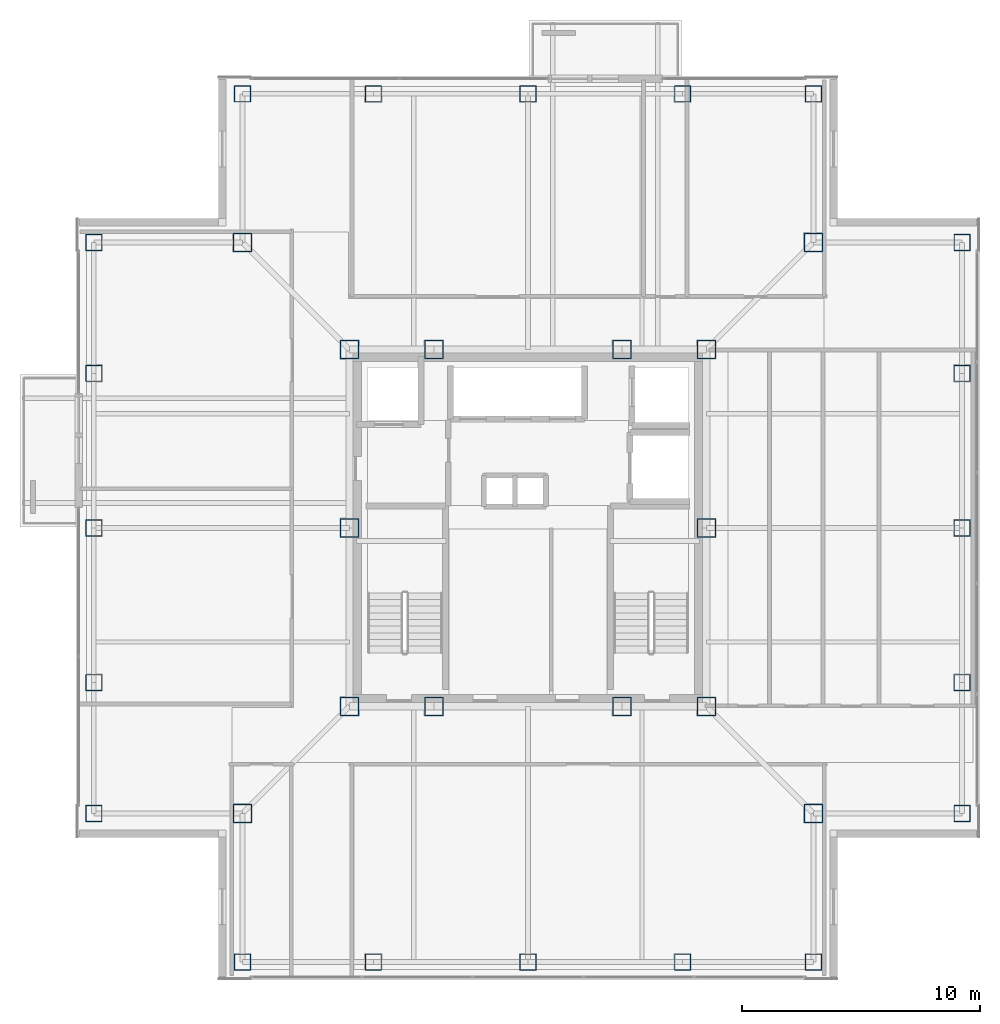
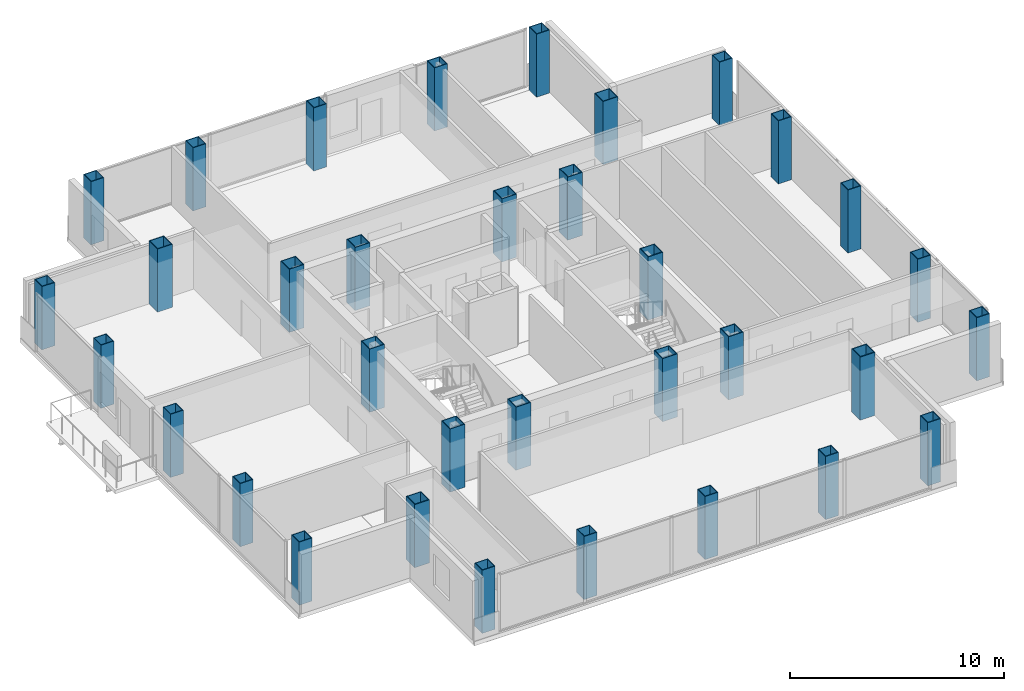
# One storey, part 1 of 13: 34 columns.
"""IFC4 building model written with IfcOpenShell, lengths in metres."""

from ifc_helpers import new_model, si_unit, direction, frame, origin, origin_2d, place, context, subcontext, project, spatial, hollow_rectangle, extrude, material, material_profile, profile_set, type_object, element, save


model = new_model("IFC4")

# Units and contexts
model_context = context("Model", 3, precision=1e-05, world=origin(), true_north=direction((0.0, 1.0)))
body_context = subcontext(model_context, "Body", "Model", "MODEL_VIEW")
ifc_project = project(units=[si_unit("LENGTHUNIT", "METRE"), si_unit("AREAUNIT", "SQUARE_METRE"), si_unit("VOLUMEUNIT", "CUBIC_METRE"), si_unit("PLANEANGLEUNIT", "RADIAN"), si_unit("MASSUNIT", "GRAM", prefix="KILO")], contexts=[model_context])

# Site, building, storey
site_placement = place(None, origin())
site = spatial("IfcSite", under=ifc_project, at=site_placement, CompositionType="ELEMENT")
building_placement = place(site_placement, origin())
building = spatial("IfcBuilding", under=site, at=building_placement, Name="Trevonay Congress Spire", CompositionType="ELEMENT")
storey_placement = place(building_placement, frame((0.0, 0.0, 254.0)))
storey = spatial("IfcBuildingStorey", under=building, at=storey_placement, Name="L66", CompositionType="ELEMENT", Elevation=254.0)

# Columns
ifc_material = material(Name="Steel ASTM A572 Grade 50", Category="steel")
ifc_material_profile_1 = material_profile(ifc_material, hollow_rectangle(XDim=0.800048828125, YDim=0.800048828125, WallThickness=0.0400390625, at=origin_2d()), Name="BOX 800x800x40")
ifc_profile_set_1 = profile_set([ifc_material_profile_1], Name="Steel ASTM A572 Grade 50")
column_type_1 = type_object("IfcColumnType", Name="COL-CORE-BOX800", PredefinedType="COLUMN", material=ifc_profile_set_1)
for number, where, z_axis, x_axis, name in (
    (1, (-7.5, -7.5, 0.0), (0.0, 0.0, 1.0), (1.0, 0.0, 0.0), "L66 column C05 at CC-SW"),
    (2, (-3.949951171875, -7.5, 0.0), (0.0, 0.0, 1.0), (1.0, 0.0, 0.0), "L66 column C05 at CC-SMW"),
    (3, (3.949951171875, -7.5, 0.0), (0.0, 0.0, 1.0), (1.0, 0.0, 0.0), "L66 column C05 at CC-SME"),
    (4, (7.5, -7.5, 0.0), (0.0, 0.0, 1.0), (1.0, 0.0, 0.0), "L66 column C05 at CC-SE"),
    (5, (7.5, 0.0, 0.0), (0.0, 0.0, 1.0), (1.0, 0.0, 0.0), "L66 column C05 at CC-E"),
    (6, (7.5, 7.5, 0.0), (0.0, 0.0, 1.0), (1.0, 0.0, 0.0), "L66 column C05 at CC-NE"),
    (7, (3.949951171875, 7.5, 0.0), (0.0, 0.0, 1.0), (1.0, 0.0, 0.0), "L66 column C05 at CC-NME"),
    (8, (-3.949951171875, 7.5, 0.0), (0.0, 0.0, 1.0), (1.0, 0.0, 0.0), "L66 column C05 at CC-NMW"),
    (9, (-7.5, 7.5, 0.0), (0.0, 0.0, 1.0), (1.0, 0.0, 0.0), "L66 column C05 at CC-NW"),
    (10, (-7.5, 0.0, 0.0), (0.0, 0.0, 1.0), (1.0, 0.0, 0.0), "L66 column C05 at CC-W"),
):
    element("IfcColumn", number, at=place(storey_placement, frame(where, z_axis=z_axis, x_axis=x_axis)), inside=storey, type_object=column_type_1, Name=name, PredefinedType="COLUMN", context=body_context, shape_type="SweptSolid", body=[
        extrude(hollow_rectangle(XDim=0.800048828125, YDim=0.800048828125, WallThickness=0.0400390625, at=origin_2d()), origin(), (0.0, 0.0, 1.0), 3.60009765625),
    ])
ifc_material_profile_2 = material_profile(ifc_material, hollow_rectangle(XDim=0.699951171875, YDim=0.699951171875, WallThickness=0.034912109375, at=origin_2d()), Name="BOX 700x700x35")
ifc_profile_set_2 = profile_set([ifc_material_profile_2], Name="Steel ASTM A572 Grade 50")
column_type_2 = type_object("IfcColumnType", Name="COL-TUBE-BOX700", PredefinedType="COLUMN", material=ifc_profile_set_2)
for number, where, z_axis, x_axis, name in (
    (11, (-12.0, -18.25, 0.0), (0.0, 0.0, 1.0), (1.0, 0.0, 0.0), "L66 column C17 at TS-1"),
    (12, (-12.0, 18.25, 0.0), (0.0, 0.0, 1.0), (1.0, 0.0, 0.0), "L66 column C17 at TN-1"),
    (13, (-18.25, -12.0, 0.0), (0.0, 0.0, 1.0), (1.0, 0.0, 0.0), "L66 column C17 at TW-1"),
    (14, (18.25, -12.0, 0.0), (0.0, 0.0, 1.0), (1.0, 0.0, 0.0), "L66 column C17 at TE-1"),
    (15, (-6.5, -18.25, 0.0), (0.0, 0.0, 1.0), (1.0, 0.0, 0.0), "L66 column C17 at TS-2"),
    (16, (-6.5, 18.25, 0.0), (0.0, 0.0, 1.0), (1.0, 0.0, 0.0), "L66 column C17 at TN-2"),
    (17, (-18.25, -6.5, 0.0), (0.0, 0.0, 1.0), (1.0, 0.0, 0.0), "L66 column C17 at TW-2"),
    (18, (18.25, -6.5, 0.0), (0.0, 0.0, 1.0), (1.0, 0.0, 0.0), "L66 column C17 at TE-2"),
    (19, (0.0, -18.25, 0.0), (0.0, 0.0, 1.0), (1.0, 0.0, 0.0), "L66 column C17 at TS-3"),
    (20, (0.0, 18.25, 0.0), (0.0, 0.0, 1.0), (1.0, 0.0, 0.0), "L66 column C17 at TN-3"),
    (21, (-18.25, 0.0, 0.0), (0.0, 0.0, 1.0), (1.0, 0.0, 0.0), "L66 column C17 at TW-3"),
    (22, (18.25, 0.0, 0.0), (0.0, 0.0, 1.0), (1.0, 0.0, 0.0), "L66 column C17 at TE-3"),
    (23, (6.5, -18.25, 0.0), (0.0, 0.0, 1.0), (1.0, 0.0, 0.0), "L66 column C17 at TS-4"),
    (24, (6.5, 18.25, 0.0), (0.0, 0.0, 1.0), (1.0, 0.0, 0.0), "L66 column C17 at TN-4"),
    (25, (-18.25, 6.5, 0.0), (0.0, 0.0, 1.0), (1.0, 0.0, 0.0), "L66 column C17 at TW-4"),
    (26, (18.25, 6.5, 0.0), (0.0, 0.0, 1.0), (1.0, 0.0, 0.0), "L66 column C17 at TE-4"),
    (27, (12.0, -18.25, 0.0), (0.0, 0.0, 1.0), (1.0, 0.0, 0.0), "L66 column C17 at TS-5"),
    (28, (12.0, 18.25, 0.0), (0.0, 0.0, 1.0), (1.0, 0.0, 0.0), "L66 column C17 at TN-5"),
    (29, (-18.25, 12.0, 0.0), (0.0, 0.0, 1.0), (1.0, 0.0, 0.0), "L66 column C17 at TW-5"),
    (30, (18.25, 12.0, 0.0), (0.0, 0.0, 1.0), (1.0, 0.0, 0.0), "L66 column C17 at TE-5"),
):
    element("IfcColumn", number, at=place(storey_placement, frame(where, z_axis=z_axis, x_axis=x_axis)), inside=storey, type_object=column_type_2, Name=name, PredefinedType="COLUMN", context=body_context, shape_type="SweptSolid", body=[
        extrude(hollow_rectangle(XDim=0.699951171875, YDim=0.699951171875, WallThickness=0.034912109375, at=origin_2d()), origin(), (0.0, 0.0, 1.0), 3.60009765625),
    ])
ifc_material_profile_3 = material_profile(ifc_material, hollow_rectangle(XDim=0.800048828125, YDim=0.800048828125, WallThickness=0.0400390625, at=origin_2d()), Name="BOX 800x800x40")
ifc_profile_set_3 = profile_set([ifc_material_profile_3], Name="Steel ASTM A572 Grade 50")
column_type_3 = type_object("IfcColumnType", Name="COL-TUBE-BOX800", PredefinedType="COLUMN", material=ifc_profile_set_3)
for number, where, z_axis, x_axis, name in (
    (31, (-12.0, -12.0, 0.0), (0.0, 0.0, 1.0), (1.0, 0.0, 0.0), "L66 column C16 at NC-SW"),
    (32, (12.0, -12.0, 0.0), (0.0, 0.0, 1.0), (1.0, 0.0, 0.0), "L66 column C16 at NC-SE"),
    (33, (12.0, 12.0, 0.0), (0.0, 0.0, 1.0), (1.0, 0.0, 0.0), "L66 column C16 at NC-NE"),
    (34, (-12.0, 12.0, 0.0), (0.0, 0.0, 1.0), (1.0, 0.0, 0.0), "L66 column C16 at NC-NW"),
):
    element("IfcColumn", number, at=place(storey_placement, frame(where, z_axis=z_axis, x_axis=x_axis)), inside=storey, type_object=column_type_3, Name=name, PredefinedType="COLUMN", context=body_context, shape_type="SweptSolid", body=[
        extrude(hollow_rectangle(XDim=0.800048828125, YDim=0.800048828125, WallThickness=0.0400390625, at=origin_2d()), origin(), (0.0, 0.0, 1.0), 3.60009765625),
    ])

save(model, "model.ifc")
